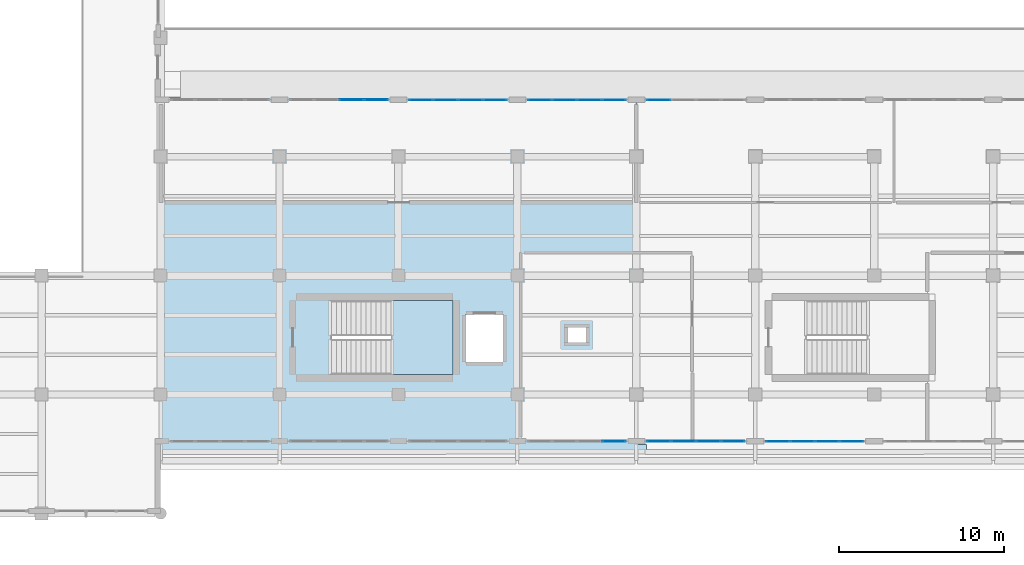
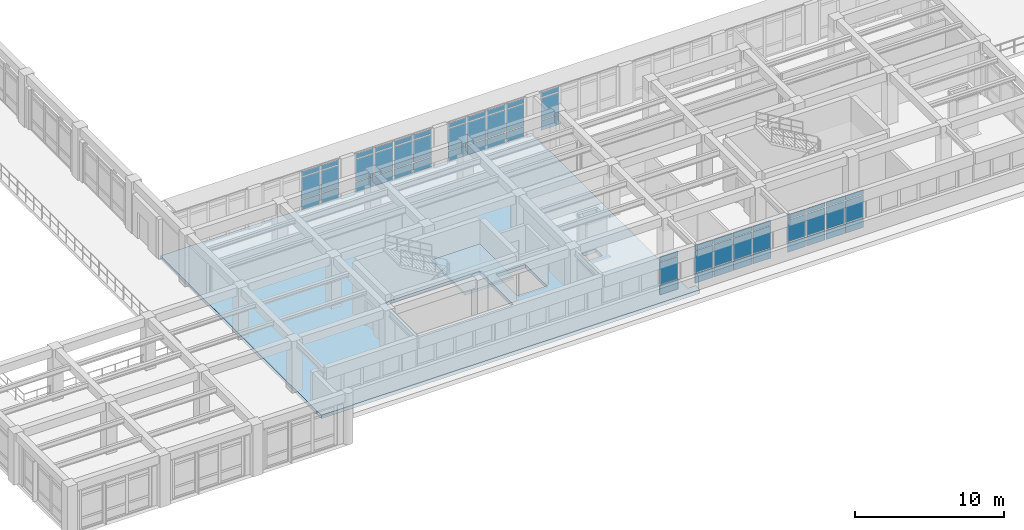
# One storey, part 35 of 67: 60 plates, 2 slabs, 8 elements without a shape of their own.
"""IFC4 building model written with IfcOpenShell, lengths in metres."""

from ifc_helpers import new_model, si_unit, direction, frame, origin, origin_2d, place, context, subcontext, project, spatial, polyline, rectangle, outline, extrude, material, layer, layer_set, type_object, element, aggregate, save


model = new_model("IFC4")

# Units and contexts
model_context = context("Model", 3, precision=1e-05, world=origin(), true_north=direction((0.0, 1.0)))
body_context = subcontext(model_context, "Body", "Model", "MODEL_VIEW")
ifc_project = project(units=[si_unit("LENGTHUNIT", "METRE"), si_unit("AREAUNIT", "SQUARE_METRE"), si_unit("VOLUMEUNIT", "CUBIC_METRE"), si_unit("PLANEANGLEUNIT", "RADIAN"), si_unit("MASSUNIT", "GRAM", prefix="KILO")], contexts=[model_context])

# Site, building, storey
site_placement = place(None, origin())
site = spatial("IfcSite", under=ifc_project, at=site_placement, CompositionType="ELEMENT")
building_placement = place(site_placement, origin())
building = spatial("IfcBuilding", under=site, at=building_placement, Name="Solenvale Faculty of Natural Sciences", CompositionType="ELEMENT")
storey_placement = place(building_placement, frame((0.0, 0.0, 13.5)))
storey = spatial("IfcBuildingStorey", under=building, at=storey_placement, Name="L03", CompositionType="ELEMENT", Elevation=13.5)

# Curtain wall, plates
ifc_material_1 = material(Name="Anodised bronze aluminium", Category="aluminium")
ifc_layer_1 = layer(ifc_material_1, 0.18994140625)
ifc_layer_set_1 = layer_set([ifc_layer_1], Name="Anodised bronze aluminium")
curtain_wall_type = type_object("IfcCurtainWallType", Name="CW-TRAY-REC", PredefinedType="USERDEFINED", material=ifc_layer_set_1)
curtain_wall_1_placement = place(storey_placement, origin())
curtain_wall_1 = element("IfcCurtainWall", 1, at=curtain_wall_1_placement, inside=storey, type_object=curtain_wall_type, Name="L03 Curtain Wall CW-L03-P1-E6-B6", ObjectType="UNITISED CURTAIN WALL", PredefinedType="USERDEFINED")
ifc_material_2 = material(Name="North-light skylight glass", Category="glass")
ifc_layer_2 = layer(ifc_material_2, 0.028076171875)
ifc_layer_set_2 = layer_set([ifc_layer_2], Name="North-light skylight glass")
plate_type_1 = type_object("IfcPlateType", Name="CWP-PNL-28", PredefinedType="CURTAIN_PANEL", material=ifc_layer_set_2)
plate_1_placement = place(storey_placement, frame((94.953857421875, 18.762451171875, 0.074951171875), z_axis=(0.0, 0.0, 1.0), x_axis=(1.0, 0.0, 0.0)))
plate_1 = element("IfcPlate", 2, at=plate_1_placement, type_object=plate_type_1, Name="CW-02 panel 1.1", PredefinedType="CURTAIN_PANEL", context=body_context, shape_type="SweptSolid", body=[
    extrude(rectangle(XDim=1.3974609375, YDim=0.028076171875, at=origin_2d()), origin(), (0.0, 0.0, 1.0), 0.78759765625),
])
plate_2_placement = place(storey_placement, frame((94.953857421875, 18.762451171875, 0.9375), z_axis=(0.0, 0.0, 1.0), x_axis=(1.0, 0.0, 0.0)))
plate_2 = element("IfcPlate", 3, at=plate_2_placement, type_object=plate_type_1, Name="CW-02 panel 1.2", PredefinedType="CURTAIN_PANEL", context=body_context, shape_type="SweptSolid", body=[
    extrude(rectangle(XDim=1.3974609375, YDim=0.028076171875, at=origin_2d()), origin(), (0.0, 0.0, 1.0), 1.784912109375),
])
plate_3_placement = place(storey_placement, frame((94.953857421875, 18.762451171875, 2.79736328125), z_axis=(0.0, 0.0, 1.0), x_axis=(1.0, 0.0, 0.0)))
plate_3 = element("IfcPlate", 4, at=plate_3_placement, type_object=plate_type_1, Name="CW-02 panel 1.3", PredefinedType="CURTAIN_PANEL", context=body_context, shape_type="SweptSolid", body=[
    extrude(rectangle(XDim=1.3974609375, YDim=0.028076171875, at=origin_2d()), origin(), (0.0, 0.0, 1.0), 0.387451171875),
])
plate_4_placement = place(storey_placement, frame((96.445068359375, 18.762451171875, 0.074951171875), z_axis=(0.0, 0.0, 1.0), x_axis=(1.0, 0.0, 0.0)))
plate_4 = element("IfcPlate", 5, at=plate_4_placement, type_object=plate_type_1, Name="CW-02 panel 2.1", PredefinedType="CURTAIN_PANEL", context=body_context, shape_type="SweptSolid", body=[
    extrude(rectangle(XDim=1.43505859375, YDim=0.028076171875, at=origin_2d()), origin(), (0.0, 0.0, 1.0), 0.78759765625),
])
plate_5_placement = place(storey_placement, frame((96.445068359375, 18.762451171875, 0.9375), z_axis=(0.0, 0.0, 1.0), x_axis=(1.0, 0.0, 0.0)))
plate_5 = element("IfcPlate", 6, at=plate_5_placement, type_object=plate_type_1, Name="CW-02 panel 2.2", PredefinedType="CURTAIN_PANEL", context=body_context, shape_type="SweptSolid", body=[
    extrude(rectangle(XDim=1.43505859375, YDim=0.028076171875, at=origin_2d()), origin(), (0.0, 0.0, 1.0), 1.784912109375),
])
plate_6_placement = place(storey_placement, frame((96.445068359375, 18.762451171875, 2.79736328125), z_axis=(0.0, 0.0, 1.0), x_axis=(1.0, 0.0, 0.0)))
plate_6 = element("IfcPlate", 7, at=plate_6_placement, type_object=plate_type_1, Name="CW-02 panel 2.3", PredefinedType="CURTAIN_PANEL", context=body_context, shape_type="SweptSolid", body=[
    extrude(rectangle(XDim=1.43505859375, YDim=0.028076171875, at=origin_2d()), origin(), (0.0, 0.0, 1.0), 0.387451171875),
])
plate_7_placement = place(storey_placement, frame((97.955078125, 18.762451171875, 0.074951171875), z_axis=(0.0, 0.0, 1.0), x_axis=(1.0, 0.0, 0.0)))
plate_7 = element("IfcPlate", 8, at=plate_7_placement, type_object=plate_type_1, Name="CW-02 panel 3.1", PredefinedType="CURTAIN_PANEL", context=body_context, shape_type="SweptSolid", body=[
    extrude(rectangle(XDim=1.43505859375, YDim=0.028076171875, at=origin_2d()), origin(), (0.0, 0.0, 1.0), 0.78759765625),
])
plate_8_placement = place(storey_placement, frame((97.955078125, 18.762451171875, 0.9375), z_axis=(0.0, 0.0, 1.0), x_axis=(1.0, 0.0, 0.0)))
plate_8 = element("IfcPlate", 9, at=plate_8_placement, type_object=plate_type_1, Name="CW-02 panel 3.2", PredefinedType="CURTAIN_PANEL", context=body_context, shape_type="SweptSolid", body=[
    extrude(rectangle(XDim=1.43505859375, YDim=0.028076171875, at=origin_2d()), origin(), (0.0, 0.0, 1.0), 1.784912109375),
])
plate_9_placement = place(storey_placement, frame((97.955078125, 18.762451171875, 2.79736328125), z_axis=(0.0, 0.0, 1.0), x_axis=(1.0, 0.0, 0.0)))
plate_9 = element("IfcPlate", 10, at=plate_9_placement, type_object=plate_type_1, Name="CW-02 panel 3.3", PredefinedType="CURTAIN_PANEL", context=body_context, shape_type="SweptSolid", body=[
    extrude(rectangle(XDim=1.43505859375, YDim=0.028076171875, at=origin_2d()), origin(), (0.0, 0.0, 1.0), 0.387451171875),
])
plate_10_placement = place(storey_placement, frame((99.4462890625, 18.762451171875, 0.074951171875), z_axis=(0.0, 0.0, 1.0), x_axis=(1.0, 0.0, 0.0)))
plate_10 = element("IfcPlate", 11, at=plate_10_placement, type_object=plate_type_1, Name="CW-02 panel 4.1", PredefinedType="CURTAIN_PANEL", context=body_context, shape_type="SweptSolid", body=[
    extrude(rectangle(XDim=1.3974609375, YDim=0.028076171875, at=origin_2d()), origin(), (0.0, 0.0, 1.0), 0.78759765625),
])
plate_11_placement = place(storey_placement, frame((99.4462890625, 18.762451171875, 0.9375), z_axis=(0.0, 0.0, 1.0), x_axis=(1.0, 0.0, 0.0)))
plate_11 = element("IfcPlate", 12, at=plate_11_placement, type_object=plate_type_1, Name="CW-02 panel 4.2", PredefinedType="CURTAIN_PANEL", context=body_context, shape_type="SweptSolid", body=[
    extrude(rectangle(XDim=1.3974609375, YDim=0.028076171875, at=origin_2d()), origin(), (0.0, 0.0, 1.0), 1.784912109375),
])
plate_12_placement = place(storey_placement, frame((99.4462890625, 18.762451171875, 2.79736328125), z_axis=(0.0, 0.0, 1.0), x_axis=(1.0, 0.0, 0.0)))
plate_12 = element("IfcPlate", 13, at=plate_12_placement, type_object=plate_type_1, Name="CW-02 panel 4.3", PredefinedType="CURTAIN_PANEL", context=body_context, shape_type="SweptSolid", body=[
    extrude(rectangle(XDim=1.3974609375, YDim=0.028076171875, at=origin_2d()), origin(), (0.0, 0.0, 1.0), 0.387451171875),
])
aggregate(curtain_wall_1, [plate_1, plate_2, plate_3, plate_4, plate_5, plate_6, plate_7, plate_8, plate_9, plate_10, plate_11, plate_12])

curtain_wall_2_placement = place(storey_placement, origin())
curtain_wall_2 = element("IfcCurtainWall", 14, at=curtain_wall_2_placement, inside=storey, type_object=curtain_wall_type, Name="L03 Curtain Wall CW-L03-P1-E8-B4", ObjectType="UNITISED CURTAIN WALL", PredefinedType="USERDEFINED")
plate_13_placement = place(storey_placement, frame((87.753662109375, 39.4375, 0.074951171875), z_axis=(0.0, 0.0, 1.0), x_axis=(-1.0, 0.0, 0.0)))
plate_13 = element("IfcPlate", 15, at=plate_13_placement, type_object=plate_type_1, Name="CW-02 panel 4.1", PredefinedType="CURTAIN_PANEL", context=body_context, shape_type="SweptSolid", body=[
    extrude(rectangle(XDim=1.3974609375, YDim=0.028076171875, at=origin_2d()), origin(), (0.0, 0.0, 1.0), 0.78759765625),
])
plate_14_placement = place(storey_placement, frame((87.753662109375, 39.4375, 0.9375), z_axis=(0.0, 0.0, 1.0), x_axis=(-1.0, 0.0, 0.0)))
plate_14 = element("IfcPlate", 16, at=plate_14_placement, type_object=plate_type_1, Name="CW-02 panel 4.2", PredefinedType="CURTAIN_PANEL", context=body_context, shape_type="SweptSolid", body=[
    extrude(rectangle(XDim=1.3974609375, YDim=0.028076171875, at=origin_2d()), origin(), (0.0, 0.0, 1.0), 1.784912109375),
])
plate_15_placement = place(storey_placement, frame((87.753662109375, 39.4375, 2.79736328125), z_axis=(0.0, 0.0, 1.0), x_axis=(-1.0, 0.0, 0.0)))
plate_15 = element("IfcPlate", 17, at=plate_15_placement, type_object=plate_type_1, Name="CW-02 panel 4.3", PredefinedType="CURTAIN_PANEL", context=body_context, shape_type="SweptSolid", body=[
    extrude(rectangle(XDim=1.3974609375, YDim=0.028076171875, at=origin_2d()), origin(), (0.0, 0.0, 1.0), 0.387451171875),
])
aggregate(curtain_wall_2, [plate_13, plate_14, plate_15])

curtain_wall_3_placement = place(storey_placement, origin())
curtain_wall_3 = element("IfcCurtainWall", 18, at=curtain_wall_3_placement, inside=storey, type_object=curtain_wall_type, Name="L03 Curtain Wall CW-L03-P1-E8-B5", ObjectType="UNITISED CURTAIN WALL", PredefinedType="USERDEFINED")
ifc_material_3 = material(Name="Triple low-E insulated glass", Category="glass")
ifc_layer_3 = layer(ifc_material_3, 0.031982421875)
ifc_layer_set_3 = layer_set([ifc_layer_3], Name="Triple low-E insulated glass")
plate_type_2 = type_object("IfcPlateType", Name="CWP-PNL-32", PredefinedType="CURTAIN_PANEL", material=ifc_layer_set_3)
plate_16_placement = place(storey_placement, frame((85.046142578125, 39.4375, 0.074951171875), z_axis=(0.0, 0.0, 1.0), x_axis=(-1.0, 0.0, 0.0)))
plate_16 = element("IfcPlate", 19, at=plate_16_placement, type_object=plate_type_2, Name="CW-02 panel 1.1", PredefinedType="CURTAIN_PANEL", context=body_context, shape_type="SweptSolid", body=[
    extrude(rectangle(XDim=1.3974609375, YDim=0.031982421875, at=origin_2d()), origin(), (0.0, 0.0, 1.0), 0.78759765625),
])
plate_17_placement = place(storey_placement, frame((85.046142578125, 39.4375, 0.9375), z_axis=(0.0, 0.0, 1.0), x_axis=(-1.0, 0.0, 0.0)))
plate_17 = element("IfcPlate", 20, at=plate_17_placement, type_object=plate_type_2, Name="CW-02 panel 1.2", PredefinedType="CURTAIN_PANEL", context=body_context, shape_type="SweptSolid", body=[
    extrude(rectangle(XDim=1.3974609375, YDim=0.031982421875, at=origin_2d()), origin(), (0.0, 0.0, 1.0), 1.784912109375),
])
plate_18_placement = place(storey_placement, frame((85.046142578125, 39.4375, 2.79736328125), z_axis=(0.0, 0.0, 1.0), x_axis=(-1.0, 0.0, 0.0)))
plate_18 = element("IfcPlate", 21, at=plate_18_placement, type_object=plate_type_2, Name="CW-02 panel 1.3", PredefinedType="CURTAIN_PANEL", context=body_context, shape_type="SweptSolid", body=[
    extrude(rectangle(XDim=1.3974609375, YDim=0.031982421875, at=origin_2d()), origin(), (0.0, 0.0, 1.0), 0.387451171875),
])
plate_19_placement = place(storey_placement, frame((83.554931640625, 39.4375, 0.074951171875), z_axis=(0.0, 0.0, 1.0), x_axis=(-1.0, 0.0, 0.0)))
plate_19 = element("IfcPlate", 22, at=plate_19_placement, type_object=plate_type_2, Name="CW-02 panel 2.1", PredefinedType="CURTAIN_PANEL", context=body_context, shape_type="SweptSolid", body=[
    extrude(rectangle(XDim=1.43505859375, YDim=0.031982421875, at=origin_2d()), origin(), (0.0, 0.0, 1.0), 0.78759765625),
])
plate_20_placement = place(storey_placement, frame((83.554931640625, 39.4375, 0.9375), z_axis=(0.0, 0.0, 1.0), x_axis=(-1.0, 0.0, 0.0)))
plate_20 = element("IfcPlate", 23, at=plate_20_placement, type_object=plate_type_2, Name="CW-02 panel 2.2", PredefinedType="CURTAIN_PANEL", context=body_context, shape_type="SweptSolid", body=[
    extrude(rectangle(XDim=1.43505859375, YDim=0.031982421875, at=origin_2d()), origin(), (0.0, 0.0, 1.0), 1.784912109375),
])
plate_21_placement = place(storey_placement, frame((83.554931640625, 39.4375, 2.79736328125), z_axis=(0.0, 0.0, 1.0), x_axis=(-1.0, 0.0, 0.0)))
plate_21 = element("IfcPlate", 24, at=plate_21_placement, type_object=plate_type_2, Name="CW-02 panel 2.3", PredefinedType="CURTAIN_PANEL", context=body_context, shape_type="SweptSolid", body=[
    extrude(rectangle(XDim=1.43505859375, YDim=0.031982421875, at=origin_2d()), origin(), (0.0, 0.0, 1.0), 0.387451171875),
])
plate_22_placement = place(storey_placement, frame((82.044921875, 39.4375, 0.074951171875), z_axis=(0.0, 0.0, 1.0), x_axis=(-1.0, 0.0, 0.0)))
plate_22 = element("IfcPlate", 25, at=plate_22_placement, type_object=plate_type_2, Name="CW-02 panel 3.1", PredefinedType="CURTAIN_PANEL", context=body_context, shape_type="SweptSolid", body=[
    extrude(rectangle(XDim=1.43505859375, YDim=0.031982421875, at=origin_2d()), origin(), (0.0, 0.0, 1.0), 0.78759765625),
])
plate_23_placement = place(storey_placement, frame((82.044921875, 39.4375, 0.9375), z_axis=(0.0, 0.0, 1.0), x_axis=(-1.0, 0.0, 0.0)))
plate_23 = element("IfcPlate", 26, at=plate_23_placement, type_object=plate_type_2, Name="CW-02 panel 3.2", PredefinedType="CURTAIN_PANEL", context=body_context, shape_type="SweptSolid", body=[
    extrude(rectangle(XDim=1.43505859375, YDim=0.031982421875, at=origin_2d()), origin(), (0.0, 0.0, 1.0), 1.784912109375),
])
plate_24_placement = place(storey_placement, frame((82.044921875, 39.4375, 2.79736328125), z_axis=(0.0, 0.0, 1.0), x_axis=(-1.0, 0.0, 0.0)))
plate_24 = element("IfcPlate", 27, at=plate_24_placement, type_object=plate_type_2, Name="CW-02 panel 3.3", PredefinedType="CURTAIN_PANEL", context=body_context, shape_type="SweptSolid", body=[
    extrude(rectangle(XDim=1.43505859375, YDim=0.031982421875, at=origin_2d()), origin(), (0.0, 0.0, 1.0), 0.387451171875),
])
plate_25_placement = place(storey_placement, frame((80.5537109375, 39.4375, 0.074951171875), z_axis=(0.0, 0.0, 1.0), x_axis=(-1.0, 0.0, 0.0)))
plate_25 = element("IfcPlate", 28, at=plate_25_placement, type_object=plate_type_2, Name="CW-02 panel 4.1", PredefinedType="CURTAIN_PANEL", context=body_context, shape_type="SweptSolid", body=[
    extrude(rectangle(XDim=1.3974609375, YDim=0.031982421875, at=origin_2d()), origin(), (0.0, 0.0, 1.0), 0.78759765625),
])
plate_26_placement = place(storey_placement, frame((80.5537109375, 39.4375, 0.9375), z_axis=(0.0, 0.0, 1.0), x_axis=(-1.0, 0.0, 0.0)))
plate_26 = element("IfcPlate", 29, at=plate_26_placement, type_object=plate_type_2, Name="CW-02 panel 4.2", PredefinedType="CURTAIN_PANEL", context=body_context, shape_type="SweptSolid", body=[
    extrude(rectangle(XDim=1.3974609375, YDim=0.031982421875, at=origin_2d()), origin(), (0.0, 0.0, 1.0), 1.784912109375),
])
plate_27_placement = place(storey_placement, frame((80.5537109375, 39.4375, 2.79736328125), z_axis=(0.0, 0.0, 1.0), x_axis=(-1.0, 0.0, 0.0)))
plate_27 = element("IfcPlate", 30, at=plate_27_placement, type_object=plate_type_2, Name="CW-02 panel 4.3", PredefinedType="CURTAIN_PANEL", context=body_context, shape_type="SweptSolid", body=[
    extrude(rectangle(XDim=1.3974609375, YDim=0.031982421875, at=origin_2d()), origin(), (0.0, 0.0, 1.0), 0.387451171875),
])
aggregate(curtain_wall_3, [plate_16, plate_17, plate_18, plate_19, plate_20, plate_21, plate_22, plate_23, plate_24, plate_25, plate_26, plate_27])

curtain_wall_4_placement = place(storey_placement, origin())
curtain_wall_4 = element("IfcCurtainWall", 31, at=curtain_wall_4_placement, inside=storey, type_object=curtain_wall_type, Name="L03 Curtain Wall CW-L03-P1-E8-B6", ObjectType="UNITISED CURTAIN WALL", PredefinedType="USERDEFINED")
ifc_layer_4 = layer(ifc_material_3, 0.035888671875)
ifc_layer_set_4 = layer_set([ifc_layer_4], Name="Triple low-E insulated glass")
plate_type_3 = type_object("IfcPlateType", Name="CWP-PNL-36", PredefinedType="CURTAIN_PANEL", material=ifc_layer_set_4)
plate_28_placement = place(storey_placement, frame((77.84619140625, 39.4375, 0.074951171875), z_axis=(0.0, 0.0, 1.0), x_axis=(-1.0, 0.0, 0.0)))
plate_28 = element("IfcPlate", 32, at=plate_28_placement, type_object=plate_type_3, Name="CW-02 panel 1.1", PredefinedType="CURTAIN_PANEL", context=body_context, shape_type="SweptSolid", body=[
    extrude(rectangle(XDim=1.3974609375, YDim=0.035888671875, at=origin_2d()), origin(), (0.0, 0.0, 1.0), 0.78759765625),
])
plate_29_placement = place(storey_placement, frame((77.84619140625, 39.4375, 0.9375), z_axis=(0.0, 0.0, 1.0), x_axis=(-1.0, 0.0, 0.0)))
plate_29 = element("IfcPlate", 33, at=plate_29_placement, type_object=plate_type_3, Name="CW-02 panel 1.2", PredefinedType="CURTAIN_PANEL", context=body_context, shape_type="SweptSolid", body=[
    extrude(rectangle(XDim=1.3974609375, YDim=0.035888671875, at=origin_2d()), origin(), (0.0, 0.0, 1.0), 1.784912109375),
])
plate_30_placement = place(storey_placement, frame((77.84619140625, 39.4375, 2.79736328125), z_axis=(0.0, 0.0, 1.0), x_axis=(-1.0, 0.0, 0.0)))
plate_30 = element("IfcPlate", 34, at=plate_30_placement, type_object=plate_type_3, Name="CW-02 panel 1.3", PredefinedType="CURTAIN_PANEL", context=body_context, shape_type="SweptSolid", body=[
    extrude(rectangle(XDim=1.3974609375, YDim=0.035888671875, at=origin_2d()), origin(), (0.0, 0.0, 1.0), 0.387451171875),
])
plate_31_placement = place(storey_placement, frame((76.35498046875, 39.4375, 0.074951171875), z_axis=(0.0, 0.0, 1.0), x_axis=(-1.0, 0.0, 0.0)))
plate_31 = element("IfcPlate", 35, at=plate_31_placement, type_object=plate_type_3, Name="CW-02 panel 2.1", PredefinedType="CURTAIN_PANEL", context=body_context, shape_type="SweptSolid", body=[
    extrude(rectangle(XDim=1.43505859375, YDim=0.035888671875, at=origin_2d()), origin(), (0.0, 0.0, 1.0), 0.78759765625),
])
plate_32_placement = place(storey_placement, frame((76.35498046875, 39.4375, 0.9375), z_axis=(0.0, 0.0, 1.0), x_axis=(-1.0, 0.0, 0.0)))
plate_32 = element("IfcPlate", 36, at=plate_32_placement, type_object=plate_type_3, Name="CW-02 panel 2.2", PredefinedType="CURTAIN_PANEL", context=body_context, shape_type="SweptSolid", body=[
    extrude(rectangle(XDim=1.43505859375, YDim=0.035888671875, at=origin_2d()), origin(), (0.0, 0.0, 1.0), 1.784912109375),
])
plate_33_placement = place(storey_placement, frame((76.35498046875, 39.4375, 2.79736328125), z_axis=(0.0, 0.0, 1.0), x_axis=(-1.0, 0.0, 0.0)))
plate_33 = element("IfcPlate", 37, at=plate_33_placement, type_object=plate_type_3, Name="CW-02 panel 2.3", PredefinedType="CURTAIN_PANEL", context=body_context, shape_type="SweptSolid", body=[
    extrude(rectangle(XDim=1.43505859375, YDim=0.035888671875, at=origin_2d()), origin(), (0.0, 0.0, 1.0), 0.387451171875),
])
plate_34_placement = place(storey_placement, frame((74.844970703125, 39.4375, 0.074951171875), z_axis=(0.0, 0.0, 1.0), x_axis=(-1.0, 0.0, 0.0)))
plate_34 = element("IfcPlate", 38, at=plate_34_placement, type_object=plate_type_3, Name="CW-02 panel 3.1", PredefinedType="CURTAIN_PANEL", context=body_context, shape_type="SweptSolid", body=[
    extrude(rectangle(XDim=1.43505859375, YDim=0.035888671875, at=origin_2d()), origin(), (0.0, 0.0, 1.0), 0.78759765625),
])
plate_35_placement = place(storey_placement, frame((74.844970703125, 39.4375, 0.9375), z_axis=(0.0, 0.0, 1.0), x_axis=(-1.0, 0.0, 0.0)))
plate_35 = element("IfcPlate", 39, at=plate_35_placement, type_object=plate_type_3, Name="CW-02 panel 3.2", PredefinedType="CURTAIN_PANEL", context=body_context, shape_type="SweptSolid", body=[
    extrude(rectangle(XDim=1.43505859375, YDim=0.035888671875, at=origin_2d()), origin(), (0.0, 0.0, 1.0), 1.784912109375),
])
plate_36_placement = place(storey_placement, frame((74.844970703125, 39.4375, 2.79736328125), z_axis=(0.0, 0.0, 1.0), x_axis=(-1.0, 0.0, 0.0)))
plate_36 = element("IfcPlate", 40, at=plate_36_placement, type_object=plate_type_3, Name="CW-02 panel 3.3", PredefinedType="CURTAIN_PANEL", context=body_context, shape_type="SweptSolid", body=[
    extrude(rectangle(XDim=1.43505859375, YDim=0.035888671875, at=origin_2d()), origin(), (0.0, 0.0, 1.0), 0.387451171875),
])
plate_37_placement = place(storey_placement, frame((73.353759765625, 39.4375, 0.074951171875), z_axis=(0.0, 0.0, 1.0), x_axis=(-1.0, 0.0, 0.0)))
plate_37 = element("IfcPlate", 41, at=plate_37_placement, type_object=plate_type_3, Name="CW-02 panel 4.1", PredefinedType="CURTAIN_PANEL", context=body_context, shape_type="SweptSolid", body=[
    extrude(rectangle(XDim=1.3974609375, YDim=0.035888671875, at=origin_2d()), origin(), (0.0, 0.0, 1.0), 0.78759765625),
])
plate_38_placement = place(storey_placement, frame((73.353759765625, 39.4375, 0.9375), z_axis=(0.0, 0.0, 1.0), x_axis=(-1.0, 0.0, 0.0)))
plate_38 = element("IfcPlate", 42, at=plate_38_placement, type_object=plate_type_3, Name="CW-02 panel 4.2", PredefinedType="CURTAIN_PANEL", context=body_context, shape_type="SweptSolid", body=[
    extrude(rectangle(XDim=1.3974609375, YDim=0.035888671875, at=origin_2d()), origin(), (0.0, 0.0, 1.0), 1.784912109375),
])
plate_39_placement = place(storey_placement, frame((73.353759765625, 39.4375, 2.79736328125), z_axis=(0.0, 0.0, 1.0), x_axis=(-1.0, 0.0, 0.0)))
plate_39 = element("IfcPlate", 43, at=plate_39_placement, type_object=plate_type_3, Name="CW-02 panel 4.3", PredefinedType="CURTAIN_PANEL", context=body_context, shape_type="SweptSolid", body=[
    extrude(rectangle(XDim=1.3974609375, YDim=0.035888671875, at=origin_2d()), origin(), (0.0, 0.0, 1.0), 0.387451171875),
])
aggregate(curtain_wall_4, [plate_28, plate_29, plate_30, plate_31, plate_32, plate_33, plate_34, plate_35, plate_36, plate_37, plate_38, plate_39])

curtain_wall_5_placement = place(storey_placement, origin())
curtain_wall_5 = element("IfcCurtainWall", 44, at=curtain_wall_5_placement, inside=storey, type_object=curtain_wall_type, Name="L03 Curtain Wall CW-L03-P1-E8-B7", ObjectType="UNITISED CURTAIN WALL", PredefinedType="USERDEFINED")
ifc_layer_5 = layer(ifc_material_3, 0.0400390625)
ifc_layer_set_5 = layer_set([ifc_layer_5], Name="Triple low-E insulated glass")
plate_type_4 = type_object("IfcPlateType", Name="CWP-PNL-40", PredefinedType="CURTAIN_PANEL", material=ifc_layer_set_5)
plate_40_placement = place(storey_placement, frame((70.646240234375, 39.4375, 0.074951171875), z_axis=(0.0, 0.0, 1.0), x_axis=(-1.0, 0.0, 0.0)))
plate_40 = element("IfcPlate", 45, at=plate_40_placement, type_object=plate_type_4, Name="CW-02 panel 1.1", PredefinedType="CURTAIN_PANEL", context=body_context, shape_type="SweptSolid", body=[
    extrude(rectangle(XDim=1.3974609375, YDim=0.0400390625, at=origin_2d()), origin(), (0.0, 0.0, 1.0), 0.78759765625),
])
plate_41_placement = place(storey_placement, frame((70.646240234375, 39.4375, 0.9375), z_axis=(0.0, 0.0, 1.0), x_axis=(-1.0, 0.0, 0.0)))
plate_41 = element("IfcPlate", 46, at=plate_41_placement, type_object=plate_type_4, Name="CW-02 panel 1.2", PredefinedType="CURTAIN_PANEL", context=body_context, shape_type="SweptSolid", body=[
    extrude(rectangle(XDim=1.3974609375, YDim=0.0400390625, at=origin_2d()), origin(), (0.0, 0.0, 1.0), 1.784912109375),
])
plate_42_placement = place(storey_placement, frame((70.646240234375, 39.4375, 2.79736328125), z_axis=(0.0, 0.0, 1.0), x_axis=(-1.0, 0.0, 0.0)))
plate_42 = element("IfcPlate", 47, at=plate_42_placement, type_object=plate_type_4, Name="CW-02 panel 1.3", PredefinedType="CURTAIN_PANEL", context=body_context, shape_type="SweptSolid", body=[
    extrude(rectangle(XDim=1.3974609375, YDim=0.0400390625, at=origin_2d()), origin(), (0.0, 0.0, 1.0), 0.387451171875),
])
plate_43_placement = place(storey_placement, frame((69.155029296875, 39.4375, 0.074951171875), z_axis=(0.0, 0.0, 1.0), x_axis=(-1.0, 0.0, 0.0)))
plate_43 = element("IfcPlate", 48, at=plate_43_placement, type_object=plate_type_4, Name="CW-02 panel 2.1", PredefinedType="CURTAIN_PANEL", context=body_context, shape_type="SweptSolid", body=[
    extrude(rectangle(XDim=1.43505859375, YDim=0.0400390625, at=origin_2d()), origin(), (0.0, 0.0, 1.0), 0.78759765625),
])
plate_44_placement = place(storey_placement, frame((69.155029296875, 39.4375, 0.9375), z_axis=(0.0, 0.0, 1.0), x_axis=(-1.0, 0.0, 0.0)))
plate_44 = element("IfcPlate", 49, at=plate_44_placement, type_object=plate_type_4, Name="CW-02 panel 2.2", PredefinedType="CURTAIN_PANEL", context=body_context, shape_type="SweptSolid", body=[
    extrude(rectangle(XDim=1.43505859375, YDim=0.0400390625, at=origin_2d()), origin(), (0.0, 0.0, 1.0), 1.784912109375),
])
plate_45_placement = place(storey_placement, frame((69.155029296875, 39.4375, 2.79736328125), z_axis=(0.0, 0.0, 1.0), x_axis=(-1.0, 0.0, 0.0)))
plate_45 = element("IfcPlate", 50, at=plate_45_placement, type_object=plate_type_4, Name="CW-02 panel 2.3", PredefinedType="CURTAIN_PANEL", context=body_context, shape_type="SweptSolid", body=[
    extrude(rectangle(XDim=1.43505859375, YDim=0.0400390625, at=origin_2d()), origin(), (0.0, 0.0, 1.0), 0.387451171875),
])
aggregate(curtain_wall_5, [plate_40, plate_41, plate_42, plate_43, plate_44, plate_45])

curtain_wall_6_placement = place(storey_placement, origin())
curtain_wall_6 = element("IfcCurtainWall", 51, at=curtain_wall_6_placement, inside=storey, type_object=curtain_wall_type, Name="L03 Curtain Wall CW-L03-P1-E6-B4", ObjectType="UNITISED CURTAIN WALL", PredefinedType="USERDEFINED")
ifc_layer_6 = layer(ifc_material_1, 0.053955078125)
ifc_layer_set_6 = layer_set([ifc_layer_6], Name="Anodised bronze aluminium")
plate_type_5 = type_object("IfcPlateType", Name="CWP-PNL-54", PredefinedType="CURTAIN_PANEL", material=ifc_layer_set_6)
plate_46_placement = place(storey_placement, frame((85.046142578125, 18.762451171875, 0.074951171875), z_axis=(0.0, 0.0, 1.0), x_axis=(1.0, 0.0, 0.0)))
plate_46 = element("IfcPlate", 52, at=plate_46_placement, type_object=plate_type_5, Name="CW-02 panel 4.1", PredefinedType="CURTAIN_PANEL", context=body_context, shape_type="SweptSolid", body=[
    extrude(rectangle(XDim=1.3974609375, YDim=0.053955078125, at=origin_2d()), origin(), (0.0, 0.0, 1.0), 0.78759765625),
])
plate_47_placement = place(storey_placement, frame((85.046142578125, 18.762451171875, 0.9375), z_axis=(0.0, 0.0, 1.0), x_axis=(1.0, 0.0, 0.0)))
plate_47 = element("IfcPlate", 53, at=plate_47_placement, type_object=plate_type_5, Name="CW-02 panel 4.2", PredefinedType="CURTAIN_PANEL", context=body_context, shape_type="SweptSolid", body=[
    extrude(rectangle(XDim=1.3974609375, YDim=0.053955078125, at=origin_2d()), origin(), (0.0, 0.0, 1.0), 1.784912109375),
])
plate_48_placement = place(storey_placement, frame((85.046142578125, 18.762451171875, 2.79736328125), z_axis=(0.0, 0.0, 1.0), x_axis=(1.0, 0.0, 0.0)))
plate_48 = element("IfcPlate", 54, at=plate_48_placement, type_object=plate_type_5, Name="CW-02 panel 4.3", PredefinedType="CURTAIN_PANEL", context=body_context, shape_type="SweptSolid", body=[
    extrude(rectangle(XDim=1.3974609375, YDim=0.053955078125, at=origin_2d()), origin(), (0.0, 0.0, 1.0), 0.387451171875),
])
aggregate(curtain_wall_6, [plate_46, plate_47, plate_48])

curtain_wall_7_placement = place(storey_placement, origin())
curtain_wall_7 = element("IfcCurtainWall", 55, at=curtain_wall_7_placement, inside=storey, type_object=curtain_wall_type, Name="L03 Curtain Wall CW-L03-P1-E6-B5", ObjectType="UNITISED CURTAIN WALL", PredefinedType="USERDEFINED")
ifc_layer_7 = layer(ifc_material_1, 0.06005859375)
ifc_layer_set_7 = layer_set([ifc_layer_7], Name="Anodised bronze aluminium")
plate_type_6 = type_object("IfcPlateType", Name="CWP-PNL-60", PredefinedType="CURTAIN_PANEL", material=ifc_layer_set_7)
plate_49_placement = place(storey_placement, frame((87.753662109375, 18.762451171875, 0.074951171875), z_axis=(0.0, 0.0, 1.0), x_axis=(1.0, 0.0, 0.0)))
plate_49 = element("IfcPlate", 56, at=plate_49_placement, type_object=plate_type_6, Name="CW-02 panel 1.1", PredefinedType="CURTAIN_PANEL", context=body_context, shape_type="SweptSolid", body=[
    extrude(rectangle(XDim=1.3974609375, YDim=0.06005859375, at=origin_2d()), origin(), (0.0, 0.0, 1.0), 0.78759765625),
])
plate_50_placement = place(storey_placement, frame((87.753662109375, 18.762451171875, 0.9375), z_axis=(0.0, 0.0, 1.0), x_axis=(1.0, 0.0, 0.0)))
plate_50 = element("IfcPlate", 57, at=plate_50_placement, type_object=plate_type_6, Name="CW-02 panel 1.2", PredefinedType="CURTAIN_PANEL", context=body_context, shape_type="SweptSolid", body=[
    extrude(rectangle(XDim=1.3974609375, YDim=0.06005859375, at=origin_2d()), origin(), (0.0, 0.0, 1.0), 1.784912109375),
])
plate_51_placement = place(storey_placement, frame((87.753662109375, 18.762451171875, 2.79736328125), z_axis=(0.0, 0.0, 1.0), x_axis=(1.0, 0.0, 0.0)))
plate_51 = element("IfcPlate", 58, at=plate_51_placement, type_object=plate_type_6, Name="CW-02 panel 1.3", PredefinedType="CURTAIN_PANEL", context=body_context, shape_type="SweptSolid", body=[
    extrude(rectangle(XDim=1.3974609375, YDim=0.06005859375, at=origin_2d()), origin(), (0.0, 0.0, 1.0), 0.387451171875),
])
plate_52_placement = place(storey_placement, frame((89.2451171875, 18.762451171875, 0.074951171875), z_axis=(0.0, 0.0, 1.0), x_axis=(1.0, 0.0, 0.0)))
plate_52 = element("IfcPlate", 59, at=plate_52_placement, type_object=plate_type_6, Name="CW-02 panel 2.1", PredefinedType="CURTAIN_PANEL", context=body_context, shape_type="SweptSolid", body=[
    extrude(rectangle(XDim=1.43505859375, YDim=0.06005859375, at=origin_2d()), origin(), (0.0, 0.0, 1.0), 0.78759765625),
])
plate_53_placement = place(storey_placement, frame((89.2451171875, 18.762451171875, 0.9375), z_axis=(0.0, 0.0, 1.0), x_axis=(1.0, 0.0, 0.0)))
plate_53 = element("IfcPlate", 60, at=plate_53_placement, type_object=plate_type_6, Name="CW-02 panel 2.2", PredefinedType="CURTAIN_PANEL", context=body_context, shape_type="SweptSolid", body=[
    extrude(rectangle(XDim=1.43505859375, YDim=0.06005859375, at=origin_2d()), origin(), (0.0, 0.0, 1.0), 1.784912109375),
])
plate_54_placement = place(storey_placement, frame((89.2451171875, 18.762451171875, 2.79736328125), z_axis=(0.0, 0.0, 1.0), x_axis=(1.0, 0.0, 0.0)))
plate_54 = element("IfcPlate", 61, at=plate_54_placement, type_object=plate_type_6, Name="CW-02 panel 2.3", PredefinedType="CURTAIN_PANEL", context=body_context, shape_type="SweptSolid", body=[
    extrude(rectangle(XDim=1.43505859375, YDim=0.06005859375, at=origin_2d()), origin(), (0.0, 0.0, 1.0), 0.387451171875),
])
plate_55_placement = place(storey_placement, frame((90.7548828125, 18.762451171875, 0.074951171875), z_axis=(0.0, 0.0, 1.0), x_axis=(1.0, 0.0, 0.0)))
plate_55 = element("IfcPlate", 62, at=plate_55_placement, type_object=plate_type_6, Name="CW-02 panel 3.1", PredefinedType="CURTAIN_PANEL", context=body_context, shape_type="SweptSolid", body=[
    extrude(rectangle(XDim=1.43505859375, YDim=0.06005859375, at=origin_2d()), origin(), (0.0, 0.0, 1.0), 0.78759765625),
])
plate_56_placement = place(storey_placement, frame((90.7548828125, 18.762451171875, 0.9375), z_axis=(0.0, 0.0, 1.0), x_axis=(1.0, 0.0, 0.0)))
plate_56 = element("IfcPlate", 63, at=plate_56_placement, type_object=plate_type_6, Name="CW-02 panel 3.2", PredefinedType="CURTAIN_PANEL", context=body_context, shape_type="SweptSolid", body=[
    extrude(rectangle(XDim=1.43505859375, YDim=0.06005859375, at=origin_2d()), origin(), (0.0, 0.0, 1.0), 1.784912109375),
])
plate_57_placement = place(storey_placement, frame((90.7548828125, 18.762451171875, 2.79736328125), z_axis=(0.0, 0.0, 1.0), x_axis=(1.0, 0.0, 0.0)))
plate_57 = element("IfcPlate", 64, at=plate_57_placement, type_object=plate_type_6, Name="CW-02 panel 3.3", PredefinedType="CURTAIN_PANEL", context=body_context, shape_type="SweptSolid", body=[
    extrude(rectangle(XDim=1.43505859375, YDim=0.06005859375, at=origin_2d()), origin(), (0.0, 0.0, 1.0), 0.387451171875),
])
plate_58_placement = place(storey_placement, frame((92.246337890625, 18.762451171875, 0.074951171875), z_axis=(0.0, 0.0, 1.0), x_axis=(1.0, 0.0, 0.0)))
plate_58 = element("IfcPlate", 65, at=plate_58_placement, type_object=plate_type_6, Name="CW-02 panel 4.1", PredefinedType="CURTAIN_PANEL", context=body_context, shape_type="SweptSolid", body=[
    extrude(rectangle(XDim=1.3974609375, YDim=0.06005859375, at=origin_2d()), origin(), (0.0, 0.0, 1.0), 0.78759765625),
])
plate_59_placement = place(storey_placement, frame((92.246337890625, 18.762451171875, 0.9375), z_axis=(0.0, 0.0, 1.0), x_axis=(1.0, 0.0, 0.0)))
plate_59 = element("IfcPlate", 66, at=plate_59_placement, type_object=plate_type_6, Name="CW-02 panel 4.2", PredefinedType="CURTAIN_PANEL", context=body_context, shape_type="SweptSolid", body=[
    extrude(rectangle(XDim=1.3974609375, YDim=0.06005859375, at=origin_2d()), origin(), (0.0, 0.0, 1.0), 1.784912109375),
])
plate_60_placement = place(storey_placement, frame((92.246337890625, 18.762451171875, 2.79736328125), z_axis=(0.0, 0.0, 1.0), x_axis=(1.0, 0.0, 0.0)))
plate_60 = element("IfcPlate", 67, at=plate_60_placement, type_object=plate_type_6, Name="CW-02 panel 4.3", PredefinedType="CURTAIN_PANEL", context=body_context, shape_type="SweptSolid", body=[
    extrude(rectangle(XDim=1.3974609375, YDim=0.06005859375, at=origin_2d()), origin(), (0.0, 0.0, 1.0), 0.387451171875),
])
aggregate(curtain_wall_7, [plate_49, plate_50, plate_51, plate_52, plate_53, plate_54, plate_55, plate_56, plate_57, plate_58, plate_59, plate_60])

# Stair, slab
ifc_material_4 = material(Name="Concrete 40 MPa", Category="concrete")
stair_type = type_object("IfcStairType", Name="STR-CORE-25R", PredefinedType="DOUBLE_RETURN_STAIR", material=ifc_material_4)
stair_placement = place(storey_placement, origin())
stair = element("IfcStair", 68, at=stair_placement, inside=storey, type_object=stair_type, Name="L03 Protected Exit Stair ST-03", PredefinedType="DOUBLE_RETURN_STAIR")
ifc_layer_8 = layer(ifc_material_4, 0.195068359375)
ifc_layer_set_8 = layer_set([ifc_layer_8], Name="Concrete 40 MPa")
slab_type_1 = type_object("IfcSlabType", Name="SL-LND-195", PredefinedType="LANDING", material=ifc_layer_set_8)
slab_1_placement = place(storey_placement, frame((0.0, 0.0, 2.050048828125)))
slab_1 = element("IfcSlab", 69, at=slab_1_placement, type_object=slab_type_1, Name="ST-03 landing 1", PredefinedType="LANDING", context=body_context, shape_type="SweptSolid", body=[
    extrude(outline(polyline([(71.5400390625, 22.800048828125), (75.300048828125, 22.800048828125), (75.300048828125, 27.300048828125), (71.5400390625, 27.300048828125), (71.5400390625, 22.800048828125)])), origin(), (0.0, 0.0, 1.0), 0.199951171875),
])
aggregate(stair, [slab_1])

# Slab
ifc_material_5 = material(Name="Architectural bronze concrete 40 MPa", Category="concrete")
ifc_layer_9 = layer(ifc_material_5, 0.280029296875)
ifc_layer_set_9 = layer_set([ifc_layer_9], Name="Architectural bronze concrete 40 MPa")
slab_type_2 = type_object("IfcSlabType", Name="SL-TRAY-280", PredefinedType="FLOOR", material=ifc_layer_set_9)
slab_2_placement = place(storey_placement, frame((0.0, 0.0, -0.280029296875)))
element("IfcSlab", 70, at=slab_2_placement, inside=storey, type_object=slab_type_2, Name="L03 V4 Floor Slab 1.1", PredefinedType="FLOOR", context=body_context, shape_type="SweptSolid", body=[
    extrude(outline(polyline([(57.6201171875, 18.5498046875), (57.60009765625, 18.58740234375), (57.60009765625, 39.574951171875), (57.611083984375, 39.595703125), (86.37548828125, 39.60009765625), (86.42578125, 39.56884765625), (86.429931640625, 18.599609375), (86.436279296875, 18.58544921875), (86.44970703125, 18.580078125), (86.9951171875, 18.580078125), (87.0126953125, 18.57275390625), (87.02001953125, 18.554931640625), (87.02001953125, 18.0048828125), (87.0087890625, 17.984130859375), (57.64501953125, 17.97998046875), (57.629150390625, 17.985595703125), (57.6201171875, 18.00244140625), (57.6201171875, 18.5498046875)]), holes=[polyline([(82.25, 24.75), (83.35009765625, 24.75), (83.35009765625, 25.64990234375), (82.25, 25.64990234375), (82.25, 24.75)]), polyline([(76.06005859375, 23.56005859375), (78.340087890625, 23.56005859375), (78.340087890625, 26.43994140625), (76.06005859375, 26.43994140625), (76.06005859375, 23.56005859375)]), polyline([(67.93994140625, 22.800048828125), (75.300048828125, 22.800048828125), (75.300048828125, 27.300048828125), (67.93994140625, 27.300048828125), (67.93994140625, 22.800048828125)])]), origin(), (0.0, 0.0, 1.0), 0.280029296875),
])

save(model, "model.ifc")
